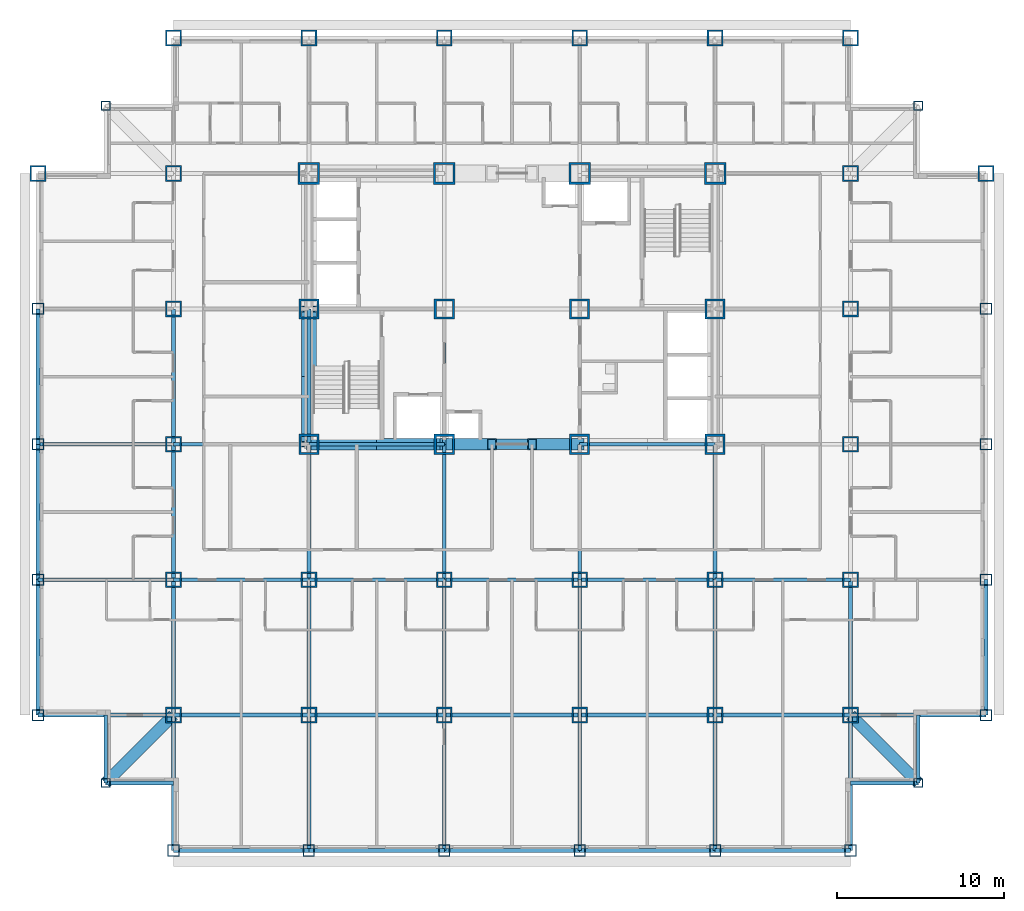
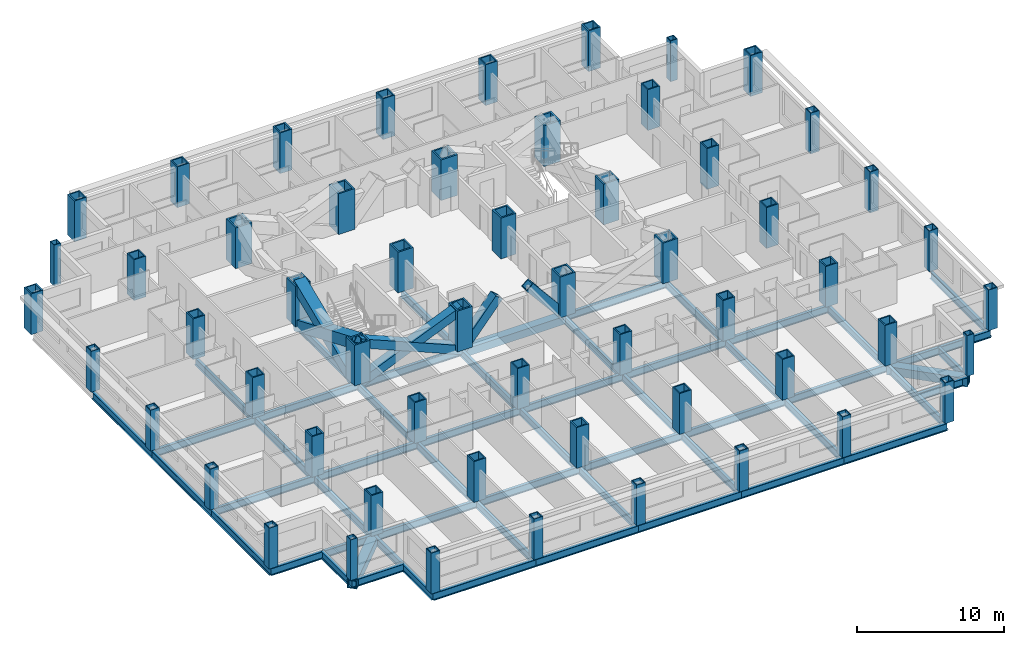
# One storey, part 1 of 13: 56 columns, 53 beams, 6 members.
"""IFC4 building model written with IfcOpenShell, lengths in metres."""

import ifcopenshell
import ifcopenshell.guid

model = None  # the IFC model being written
_history = None  # IfcOwnerHistory: only IFC2X3 demands one
_inside = {}  # id of a spatial element -> (the spatial element, [elements in it])
_under = {}  # id of a project, library or spatial element -> (it, [spatial elements below it])
_declared = {}  # id of a project -> (the project, [libraries it declares])
_typed = {}  # id of a type object -> (the type object, [elements of that type])
_made_of = {}  # id of a material, layer set ... -> (it, [elements and type objects made of it])


def new_model(schema):
    """Start an empty IFC model of exactly this schema.

    Asked for "IFC4X3", IfcOpenShell would pick the latest addendum, in which some entities
    have other attributes; the version numbers below select the first issue.
    IFC2X3 requires an IfcOwnerHistory on every rooted entity: one is made here for all.
    """
    global model, _history
    if schema == "IFC4X3":
        model = ifcopenshell.file(schema_version=(4, 3, 0, 0))
    else:
        model = ifcopenshell.file(schema=schema)
    _inside.clear()
    _under.clear()
    _declared.clear()
    _typed.clear()
    _made_of.clear()
    _history = None
    if model.schema == "IFC2X3":
        org = make("IfcOrganization", Name="unknown")
        user = make(
            "IfcPersonAndOrganization",
            ThePerson=make("IfcPerson", FamilyName="unknown"),
            TheOrganization=org,
        )
        app = make(
            "IfcApplication",
            ApplicationDeveloper=org,
            Version="unknown",
            ApplicationFullName="unknown",
            ApplicationIdentifier="unknown",
        )
        _history = make(
            "IfcOwnerHistory",
            OwningUser=user,
            OwningApplication=app,
            ChangeAction="ADDED",
            CreationDate=0,
        )
    return model


def make(cls, **values):
    """One entity of the class cls with the attributes given. An attribute that is None is left unset."""
    return model.create_entity(
        cls, **{name: value for name, value in values.items() if value is not None}
    )


def rooted(cls, **values):
    """An entity with a GlobalId (a new one), such as an element, a storey or a relation."""
    return make(cls, GlobalId=ifcopenshell.guid.new(), OwnerHistory=_history, **values)


def si_unit(unit_type, name, prefix=None):
    """IfcSIUnit, for example si_unit("LENGTHUNIT", "METRE", prefix="MILLI")."""
    return make("IfcSIUnit", UnitType=unit_type, Prefix=prefix, Name=name)


def assignment(units):
    """IfcUnitAssignment: the units of a project."""
    return None if units is None else make("IfcUnitAssignment", Units=units)


def point(xyz):
    """IfcCartesianPoint."""
    return None if xyz is None else make("IfcCartesianPoint", Coordinates=xyz)


def direction(xyz):
    """IfcDirection."""
    return None if xyz is None else make("IfcDirection", DirectionRatios=xyz)


def frame(location, z_axis=None, x_axis=None):
    """IfcAxis2Placement3D, a coordinate frame: its origin and axes. An axis left out is left unset."""
    return make(
        "IfcAxis2Placement3D",
        Location=point(location),
        Axis=direction(z_axis),
        RefDirection=direction(x_axis),
    )


def frame_2d(location, x_axis=None):
    """IfcAxis2Placement2D, a coordinate frame in the plane: its origin and x axis."""
    return make(
        "IfcAxis2Placement2D", Location=point(location), RefDirection=direction(x_axis)
    )


def origin():
    """The frame at (0, 0, 0) with its axes left unset."""
    return frame((0.0, 0.0, 0.0))


def origin_2d():
    """The frame at (0, 0) in the plane with its x axis left unset."""
    return frame_2d((0.0, 0.0))


def place(relative_to, where):
    """IfcLocalPlacement: puts the frame where relative to a parent placement (None: the world)."""
    return make(
        "IfcLocalPlacement", PlacementRelTo=relative_to, RelativePlacement=where
    )


def context(
    kind, dimensions, precision=None, world=None, true_north=None, identifier=None
):
    """IfcGeometricRepresentationContext, for example the 3D "Model" context."""
    return make(
        "IfcGeometricRepresentationContext",
        ContextIdentifier=identifier,
        ContextType=kind,
        CoordinateSpaceDimension=dimensions,
        Precision=precision,
        WorldCoordinateSystem=world,
        TrueNorth=true_north,
    )


def subcontext(parent, identifier, kind, view, scale=None):
    """IfcGeometricRepresentationSubContext, for example "Body" below "Model"."""
    return make(
        "IfcGeometricRepresentationSubContext",
        ContextIdentifier=identifier,
        ContextType=kind,
        ParentContext=parent,
        TargetScale=scale,
        TargetView=view,
    )


def project(units=None, contexts=None):
    """IfcProject with its units and contexts."""
    return rooted(
        "IfcProject",
        Name="project",
        RepresentationContexts=contexts,
        UnitsInContext=assignment(units),
    )


def spatial(cls, under=None, at=None, **own):
    """A site, building, storey or space (cls), placed at a placement, below another one or the project."""
    s = rooted(cls, ObjectPlacement=at, **own)
    if under is not None:
        _under.setdefault(under.id(), (under, []))[1].append(s)
    return s


def profile(cls, at=None, kind="AREA", **sizes):
    """A parametric profile (cls). Its sizes go by their IFC names, for example OverallWidth=200.0."""
    return make(cls, ProfileType=kind, Position=at, **sizes)


def hollow_rectangle(**sizes):
    """IfcRectangleHollowProfileDef."""
    return profile("IfcRectangleHollowProfileDef", **sizes)


def i_section(**sizes):
    """IfcIShapeProfileDef."""
    return profile("IfcIShapeProfileDef", **sizes)


def extrude(swept, where, along, depth):
    """IfcExtrudedAreaSolid: the profile swept, set in the frame where, extruded along a direction by depth."""
    return make(
        "IfcExtrudedAreaSolid",
        SweptArea=swept,
        Position=where,
        ExtrudedDirection=direction(along),
        Depth=depth,
    )


def shape(context_of_items, identifier, shape_type, items):
    """IfcShapeRepresentation: the items that make up one representation, for example the "Body"."""
    return make(
        "IfcShapeRepresentation",
        ContextOfItems=context_of_items,
        RepresentationIdentifier=identifier,
        RepresentationType=shape_type,
        Items=items,
    )


def material(Name=None, Category=None):
    """IfcMaterial."""
    return make("IfcMaterial", Name=Name, Category=Category)


def material_profile(
    of_material, cross_section, Name=None, Category=None, Priority=None
):
    """IfcMaterialProfile: a cross section and its material."""
    return make(
        "IfcMaterialProfile",
        Name=Name,
        Material=of_material,
        Profile=cross_section,
        Priority=Priority,
        Category=Category,
    )


def profile_set(profiles, Name=None, composite=None):
    """IfcMaterialProfileSet."""
    return make(
        "IfcMaterialProfileSet",
        Name=Name,
        MaterialProfiles=profiles,
        CompositeProfile=composite,
    )


def made_of(thing, what):
    """Note that an element or type object is made of a material, layer set ...; save() writes the relation."""
    if what is not None:
        _made_of.setdefault(what.id(), (what, []))[1].append(thing)
    return thing


def type_object(cls, material=None, **own):
    """A type object (cls), such as IfcWallType, which elements share."""
    return made_of(rooted(cls, **own), material)


def element(
    cls,
    number,
    at=None,
    inside=None,
    cuts=None,
    type_object=None,
    material=None,
    context=None,
    identifier="Body",
    shape_type=None,
    held_by="IfcProductDefinitionShape",
    body=None,
    shapes=None,
    **own,
):
    """One element of the class cls, such as IfcWall. Its Tag is "e" and its number.

    at: its placement. inside: the storey or other place that contains it. cuts: it is an
    opening in that element (IfcRelVoidsElement). A single representation is given by context,
    identifier, shape_type and body (its items); several are given by shapes. held_by: the class
    of the entity that holds the representations. save() writes the other relations.
    """
    e = rooted(cls, Tag="e%d" % number, ObjectPlacement=at, **own)
    if body is not None:
        shapes = [shape(context, identifier, shape_type, body)]
    if shapes is not None:
        e.Representation = make(held_by, Representations=shapes)
    if inside is not None:
        _inside.setdefault(inside.id(), (inside, []))[1].append(e)
    if cuts is not None:
        rooted(
            "IfcRelVoidsElement", RelatingBuildingElement=cuts, RelatedOpeningElement=e
        )
    if type_object is not None:
        _typed.setdefault(type_object.id(), (type_object, []))[1].append(e)
    return made_of(e, material)


def aggregate(whole, parts):
    """IfcRelAggregates: a whole, such as a stair, and the parts it consists of."""
    return rooted("IfcRelAggregates", RelatingObject=whole, RelatedObjects=parts)


def save(model, path):
    """Write the relations noted so far, then the file.

    IfcRelAggregates (storeys below a building ...), IfcRelContainedInSpatialStructure (elements
    in a storey), IfcRelDefinesByType, IfcRelAssociatesMaterial and IfcRelDeclares: one each for
    every whole, place, type object, material and project.
    """
    for whole, parts in _under.values():
        aggregate(whole, parts)
    for where, things in _inside.values():
        rooted(
            "IfcRelContainedInSpatialStructure",
            RelatedElements=things,
            RelatingStructure=where,
        )
    for kind, things in _typed.values():
        rooted("IfcRelDefinesByType", RelatedObjects=things, RelatingType=kind)
    for what, things in _made_of.values():
        rooted("IfcRelAssociatesMaterial", RelatedObjects=things, RelatingMaterial=what)
    for by, libraries in _declared.values():
        rooted("IfcRelDeclares", RelatingContext=by, RelatedDefinitions=libraries)
    model.write(path)


model = new_model("IFC4")

# Units and contexts
model_context = context("Model", 3, precision=1e-05, world=origin(), true_north=direction((0.0, 1.0)))
body_context = subcontext(model_context, "Body", "Model", "MODEL_VIEW")
ifc_project = project(units=[si_unit("LENGTHUNIT", "METRE"), si_unit("AREAUNIT", "SQUARE_METRE"), si_unit("VOLUMEUNIT", "CUBIC_METRE"), si_unit("PLANEANGLEUNIT", "RADIAN"), si_unit("MASSUNIT", "GRAM", prefix="KILO")], contexts=[model_context])

# Site, building, storey
site_placement = place(None, origin())
site = spatial("IfcSite", under=ifc_project, at=site_placement, CompositionType="ELEMENT")
building_placement = place(site_placement, origin())
building = spatial("IfcBuilding", under=site, at=building_placement, Name="Kopane Lantern Tower", CompositionType="ELEMENT")
storey_placement = place(building_placement, frame((0.0, 0.0, 50.0)))
storey = spatial("IfcBuildingStorey", under=building, at=storey_placement, Name="L11", CompositionType="ELEMENT", Elevation=50.0)

# Columns
ifc_material_1 = material(Name="Steel S355JR", Category="steel")
ifc_material_profile_1 = material_profile(ifc_material_1, hollow_rectangle(XDim=1.199951171875, YDim=1.199951171875, WallThickness=0.1201171875, at=origin_2d()), Name="BOX 1200x1200x120")
ifc_profile_set_1 = profile_set([ifc_material_profile_1], Name="Steel S355JR")
column_type_1 = type_object("IfcColumnType", Name="COLUMN BOX 1200x1200x120", PredefinedType="COLUMN", material=ifc_profile_set_1)
for number, where, z_axis, x_axis, name in (
    (1, (16.199951171875, 24.300048828125, 0.0), (0.0, 0.0, 1.0), (1.0, 0.0, 0.0), "Column 4/E L11"),
    (2, (16.199951171875, 32.39990234375, 0.0), (0.0, 0.0, 1.0), (1.0, 0.0, 0.0), "Column 4/F L11"),
    (3, (24.300048828125, 24.300048828125, 0.0), (0.0, 0.0, 1.0), (1.0, 0.0, 0.0), "Column 5/E L11"),
    (4, (24.300048828125, 32.39990234375, 0.0), (0.0, 0.0, 1.0), (1.0, 0.0, 0.0), "Column 5/F L11"),
    (5, (32.39990234375, 24.300048828125, 0.0), (0.0, 0.0, 1.0), (1.0, 0.0, 0.0), "Column 6/E L11"),
    (6, (32.39990234375, 32.39990234375, 0.0), (0.0, 0.0, 1.0), (1.0, 0.0, 0.0), "Column 6/F L11"),
    (7, (40.5, 24.300048828125, 0.0), (0.0, 0.0, 1.0), (1.0, 0.0, 0.0), "Column 7/E L11"),
    (8, (40.5, 32.39990234375, 0.0), (0.0, 0.0, 1.0), (1.0, 0.0, 0.0), "Column 7/F L11"),
):
    element("IfcColumn", number, at=place(storey_placement, frame(where, z_axis=z_axis, x_axis=x_axis)), inside=storey, type_object=column_type_1, Name=name, PredefinedType="COLUMN", context=body_context, shape_type="SweptSolid", body=[
        extrude(hollow_rectangle(XDim=1.199951171875, YDim=1.199951171875, WallThickness=0.1201171875, at=origin_2d()), origin(), (0.0, 0.0, 1.0), 3.39990234375),
    ])
ifc_material_2 = material(Name="Steel S355JR", Category="steel")
ifc_material_profile_2 = material_profile(ifc_material_2, hollow_rectangle(XDim=1.300048828125, YDim=1.300048828125, WallThickness=0.1298828125, at=origin_2d()), Name="BOX 1300x1300x130")
ifc_profile_set_2 = profile_set([ifc_material_profile_2], Name="Steel S355JR")
column_type_2 = type_object("IfcColumnType", Name="COLUMN BOX 1300x1300x130", PredefinedType="COLUMN", material=ifc_profile_set_2)
for number, where, z_axis, x_axis, name in (
    (9, (16.199951171875, 40.5, 0.0), (0.0, 0.0, 1.0), (1.0, 0.0, 0.0), "Column 4/G L11"),
    (10, (24.300048828125, 40.5, 0.0), (0.0, 0.0, 1.0), (1.0, 0.0, 0.0), "Column 5/G L11"),
    (11, (32.39990234375, 40.5, 0.0), (0.0, 0.0, 1.0), (1.0, 0.0, 0.0), "Column 6/G L11"),
    (12, (40.5, 40.5, 0.0), (0.0, 0.0, 1.0), (1.0, 0.0, 0.0), "Column 7/G L11"),
):
    element("IfcColumn", number, at=place(storey_placement, frame(where, z_axis=z_axis, x_axis=x_axis)), inside=storey, type_object=column_type_2, Name=name, PredefinedType="COLUMN", context=body_context, shape_type="SweptSolid", body=[
        extrude(hollow_rectangle(XDim=1.300048828125, YDim=1.300048828125, WallThickness=0.1298828125, at=origin_2d()), origin(), (0.0, 0.0, 1.0), 3.39990234375),
    ])
ifc_material_3 = material(Name="Steel S355JR", Category="steel")
ifc_material_profile_3 = material_profile(ifc_material_3, hollow_rectangle(XDim=0.550048828125, YDim=0.550048828125, WallThickness=0.050048828125, at=origin_2d()), Name="BOX 550x550x50")
ifc_profile_set_3 = profile_set([ifc_material_profile_3], Name="Steel S355JR")
column_type_3 = type_object("IfcColumnType", Name="COLUMN BOX 550x550x50", PredefinedType="COLUMN", material=ifc_profile_set_3)
for number, where, z_axis, x_axis, name in (
    (13, (4.050048828125, 4.050048828125, 0.0), (0.0, 0.0, 1.0), (1.0, 0.0, 0.0), "Column 4.05/4.05 L11"),
    (14, (4.050048828125, 44.550048828125, 0.0), (0.0, 0.0, 1.0), (1.0, 0.0, 0.0), "Column 4.05/44.55 L11"),
    (15, (52.64990234375, 4.050048828125, 0.0), (0.0, 0.0, 1.0), (1.0, 0.0, 0.0), "Column 52.65/4.05 L11"),
    (16, (52.64990234375, 44.550048828125, 0.0), (0.0, 0.0, 1.0), (1.0, 0.0, 0.0), "Column 52.65/44.55 L11"),
):
    element("IfcColumn", number, at=place(storey_placement, frame(where, z_axis=z_axis, x_axis=x_axis)), inside=storey, type_object=column_type_3, Name=name, PredefinedType="COLUMN", context=body_context, shape_type="SweptSolid", body=[
        extrude(hollow_rectangle(XDim=0.550048828125, YDim=0.550048828125, WallThickness=0.050048828125, at=origin_2d()), origin(), (0.0, 0.0, 1.0), 3.39990234375),
    ])
ifc_material_4 = material(Name="Steel S355JR", Category="steel")
ifc_material_profile_4 = material_profile(ifc_material_4, hollow_rectangle(XDim=0.699951171875, YDim=0.699951171875, WallThickness=0.06005859375, at=origin_2d()), Name="BOX 700x700x60")
ifc_profile_set_4 = profile_set([ifc_material_profile_4], Name="Steel S355JR")
column_type_4 = type_object("IfcColumnType", Name="COLUMN BOX 700x700x60", PredefinedType="COLUMN", material=ifc_profile_set_4)
for number, where, z_axis, x_axis, name in (
    (17, (0.0, 8.10009765625, 0.0), (0.0, 0.0, 1.0), (1.0, 0.0, 0.0), "Column 2/C L11"),
    (18, (0.0, 16.199951171875, 0.0), (0.0, 0.0, 1.0), (1.0, 0.0, 0.0), "Column 2/D L11"),
    (19, (0.0, 24.300048828125, 0.0), (0.0, 0.0, 1.0), (1.0, 0.0, 0.0), "Column 2/E L11"),
    (20, (0.0, 32.39990234375, 0.0), (0.0, 0.0, 1.0), (1.0, 0.0, 0.0), "Column 2/F L11"),
    (21, (8.10009765625, 0.0, 0.0), (0.0, 0.0, 1.0), (1.0, 0.0, 0.0), "Column 3/B L11"),
    (22, (16.199951171875, 0.0, 0.0), (0.0, 0.0, 1.0), (1.0, 0.0, 0.0), "Column 4/B L11"),
    (23, (24.300048828125, 0.0, 0.0), (0.0, 0.0, 1.0), (1.0, 0.0, 0.0), "Column 5/B L11"),
    (24, (32.39990234375, 0.0, 0.0), (0.0, 0.0, 1.0), (1.0, 0.0, 0.0), "Column 6/B L11"),
    (25, (40.5, 0.0, 0.0), (0.0, 0.0, 1.0), (1.0, 0.0, 0.0), "Column 7/B L11"),
    (26, (48.60009765625, 0.0, 0.0), (0.0, 0.0, 1.0), (1.0, 0.0, 0.0), "Column 8/B L11"),
    (27, (56.699951171875, 8.10009765625, 0.0), (0.0, 0.0, 1.0), (1.0, 0.0, 0.0), "Column 9/C L11"),
    (28, (56.699951171875, 16.199951171875, 0.0), (0.0, 0.0, 1.0), (1.0, 0.0, 0.0), "Column 9/D L11"),
    (29, (56.699951171875, 24.300048828125, 0.0), (0.0, 0.0, 1.0), (1.0, 0.0, 0.0), "Column 9/E L11"),
    (30, (56.699951171875, 32.39990234375, 0.0), (0.0, 0.0, 1.0), (1.0, 0.0, 0.0), "Column 9/F L11"),
):
    element("IfcColumn", number, at=place(storey_placement, frame(where, z_axis=z_axis, x_axis=x_axis)), inside=storey, type_object=column_type_4, Name=name, PredefinedType="COLUMN", context=body_context, shape_type="SweptSolid", body=[
        extrude(hollow_rectangle(XDim=0.699951171875, YDim=0.699951171875, WallThickness=0.06005859375, at=origin_2d()), origin(), (0.0, 0.0, 1.0), 3.39990234375),
    ])
ifc_material_5 = material(Name="Steel S355JR", Category="steel")
ifc_material_profile_5 = material_profile(ifc_material_5, hollow_rectangle(XDim=0.949951171875, YDim=0.949951171875, WallThickness=0.094970703125, at=origin_2d()), Name="BOX 950x950x95")
ifc_profile_set_5 = profile_set([ifc_material_profile_5], Name="Steel S355JR")
column_type_5 = type_object("IfcColumnType", Name="COLUMN BOX 950x950x95", PredefinedType="COLUMN", material=ifc_profile_set_5)
for number, where, z_axis, x_axis, name in (
    (31, (0.0, 40.5, 0.0), (0.0, 0.0, 1.0), (1.0, 0.0, 0.0), "Column 2/G L11"),
    (32, (8.10009765625, 8.10009765625, 0.0), (0.0, 0.0, 1.0), (1.0, 0.0, 0.0), "Column 3/C L11"),
    (33, (8.10009765625, 16.199951171875, 0.0), (0.0, 0.0, 1.0), (1.0, 0.0, 0.0), "Column 3/D L11"),
    (34, (8.10009765625, 24.300048828125, 0.0), (0.0, 0.0, 1.0), (1.0, 0.0, 0.0), "Column 3/E L11"),
    (35, (8.10009765625, 32.39990234375, 0.0), (0.0, 0.0, 1.0), (1.0, 0.0, 0.0), "Column 3/F L11"),
    (36, (8.10009765625, 40.5, 0.0), (0.0, 0.0, 1.0), (1.0, 0.0, 0.0), "Column 3/G L11"),
    (37, (8.10009765625, 48.60009765625, 0.0), (0.0, 0.0, 1.0), (1.0, 0.0, 0.0), "Column 3/H L11"),
    (38, (16.199951171875, 8.10009765625, 0.0), (0.0, 0.0, 1.0), (1.0, 0.0, 0.0), "Column 4/C L11"),
    (39, (16.199951171875, 16.199951171875, 0.0), (0.0, 0.0, 1.0), (1.0, 0.0, 0.0), "Column 4/D L11"),
    (40, (16.199951171875, 48.60009765625, 0.0), (0.0, 0.0, 1.0), (1.0, 0.0, 0.0), "Column 4/H L11"),
    (41, (24.300048828125, 8.10009765625, 0.0), (0.0, 0.0, 1.0), (1.0, 0.0, 0.0), "Column 5/C L11"),
    (42, (24.300048828125, 16.199951171875, 0.0), (0.0, 0.0, 1.0), (1.0, 0.0, 0.0), "Column 5/D L11"),
    (43, (24.300048828125, 48.60009765625, 0.0), (0.0, 0.0, 1.0), (1.0, 0.0, 0.0), "Column 5/H L11"),
    (44, (32.39990234375, 8.10009765625, 0.0), (0.0, 0.0, 1.0), (1.0, 0.0, 0.0), "Column 6/C L11"),
    (45, (32.39990234375, 16.199951171875, 0.0), (0.0, 0.0, 1.0), (1.0, 0.0, 0.0), "Column 6/D L11"),
    (46, (32.39990234375, 48.60009765625, 0.0), (0.0, 0.0, 1.0), (1.0, 0.0, 0.0), "Column 6/H L11"),
    (47, (40.5, 8.10009765625, 0.0), (0.0, 0.0, 1.0), (1.0, 0.0, 0.0), "Column 7/C L11"),
    (48, (40.5, 16.199951171875, 0.0), (0.0, 0.0, 1.0), (1.0, 0.0, 0.0), "Column 7/D L11"),
    (49, (40.5, 48.60009765625, 0.0), (0.0, 0.0, 1.0), (1.0, 0.0, 0.0), "Column 7/H L11"),
    (50, (48.60009765625, 8.10009765625, 0.0), (0.0, 0.0, 1.0), (1.0, 0.0, 0.0), "Column 8/C L11"),
    (51, (48.60009765625, 16.199951171875, 0.0), (0.0, 0.0, 1.0), (1.0, 0.0, 0.0), "Column 8/D L11"),
    (52, (48.60009765625, 24.300048828125, 0.0), (0.0, 0.0, 1.0), (1.0, 0.0, 0.0), "Column 8/E L11"),
    (53, (48.60009765625, 32.39990234375, 0.0), (0.0, 0.0, 1.0), (1.0, 0.0, 0.0), "Column 8/F L11"),
    (54, (48.60009765625, 40.5, 0.0), (0.0, 0.0, 1.0), (1.0, 0.0, 0.0), "Column 8/G L11"),
    (55, (48.60009765625, 48.60009765625, 0.0), (0.0, 0.0, 1.0), (1.0, 0.0, 0.0), "Column 8/H L11"),
    (56, (56.699951171875, 40.5, 0.0), (0.0, 0.0, 1.0), (1.0, 0.0, 0.0), "Column 9/G L11"),
):
    element("IfcColumn", number, at=place(storey_placement, frame(where, z_axis=z_axis, x_axis=x_axis)), inside=storey, type_object=column_type_5, Name=name, PredefinedType="COLUMN", context=body_context, shape_type="SweptSolid", body=[
        extrude(hollow_rectangle(XDim=0.949951171875, YDim=0.949951171875, WallThickness=0.094970703125, at=origin_2d()), origin(), (0.0, 0.0, 1.0), 3.39990234375),
    ])

# Members
ifc_material_6 = material(Name="Steel S355JR", Category="steel")
ifc_material_profile_6 = material_profile(ifc_material_6, hollow_rectangle(XDim=0.699951171875, YDim=0.699951171875, WallThickness=0.06005859375, at=origin_2d()), Name="BOX 700x700x60")
ifc_profile_set_6 = profile_set([ifc_material_profile_6], Name="Steel S355JR")
member_type_1 = type_object("IfcMemberType", Name="BRACE BOX 700x700x60", PredefinedType="BRACE", material=ifc_profile_set_6)
for number, where, z_axis, x_axis, name in (
    (57, (16.199951171875, 24.300048828125, -0.2099609375), (0.922069000757, 0.0, 0.387025526088), (0.0, 1.0, 0.0), "Core brace L11"),
    (58, (24.300048828125, 24.300048828125, -0.2099609375), (-0.922069000757, 0.0, 0.387025526088), (0.0, -1.0, 0.0), "Core brace L11"),
):
    element("IfcMember", number, at=place(storey_placement, frame(where, z_axis=z_axis, x_axis=x_axis)), inside=storey, type_object=member_type_1, Name=name, PredefinedType="BRACE", context=body_context, shape_type="SweptSolid", body=[
        extrude(hollow_rectangle(XDim=0.699951171875, YDim=0.699951171875, WallThickness=0.06005859375, at=origin_2d()), origin(), (0.0, 0.0, 1.0), 8.78466796875),
    ])
for number, where, z_axis, x_axis, name in (
    (59, (24.300048828125, 24.300048828125, -0.2099609375), (0.642390257445, 0.0, 0.7663776857), (0.0, 1.0, 0.0), "Core brace L11"),
    (60, (32.39990234375, 24.300048828125, -0.2099609375), (-0.642390257445, 0.0, 0.7663776857), (0.0, -1.0, 0.0), "Core brace L11"),
):
    element("IfcMember", number, at=place(storey_placement, frame(where, z_axis=z_axis, x_axis=x_axis)), inside=storey, type_object=member_type_1, Name=name, PredefinedType="BRACE", context=body_context, shape_type="SweptSolid", body=[
        extrude(hollow_rectangle(XDim=0.699951171875, YDim=0.699951171875, WallThickness=0.06005859375, at=origin_2d()), origin(), (0.0, 0.0, 1.0), 4.436279296875),
    ])
ifc_material_7 = material(Name="Steel S355JR", Category="steel")
ifc_material_profile_7 = material_profile(ifc_material_7, hollow_rectangle(XDim=0.89990234375, YDim=0.89990234375, WallThickness=0.090087890625, at=origin_2d()), Name="BOX 900x900x90")
ifc_profile_set_7 = profile_set([ifc_material_profile_7], Name="Steel S355JR")
member_type_2 = type_object("IfcMemberType", Name="BRACE BOX 900x900x90", PredefinedType="BRACE", material=ifc_profile_set_7)
for number, where, z_axis, x_axis, name in (
    (61, (16.199951171875, 24.300048828125, -0.2099609375), (0.0, 0.922064837731, 0.38703544414), (-1.0, 0.0, 0.0), "Core brace L11"),
    (62, (16.199951171875, 32.39990234375, -0.2099609375), (0.0, -0.922064837731, 0.38703544414), (1.0, 0.0, 0.0), "Core brace L11"),
):
    element("IfcMember", number, at=place(storey_placement, frame(where, z_axis=z_axis, x_axis=x_axis)), inside=storey, type_object=member_type_2, Name=name, PredefinedType="BRACE", context=body_context, shape_type="SweptSolid", body=[
        extrude(hollow_rectangle(XDim=0.89990234375, YDim=0.89990234375, WallThickness=0.090087890625, at=origin_2d()), origin(), (0.0, 0.0, 1.0), 8.784423828125),
    ])

# Beams
ifc_material_8 = material(Name="Steel S355JR", Category="steel")
ifc_material_profile_8 = material_profile(ifc_material_8, i_section(OverallWidth=0.22900390625, OverallDepth=0.6123046875, WebThickness=0.011962890625, FlangeThickness=0.01953125, FilletRadius=0.0126953125, at=origin_2d()), Name="UB 610x229x125")
ifc_profile_set_8 = profile_set([ifc_material_profile_8], Name="Steel S355JR")
beam_type_1 = type_object("IfcBeamType", Name="CORE BEAM UB 610x229x125", PredefinedType="BEAM", material=ifc_profile_set_8)
beam_1_placement = place(storey_placement, frame((24.300048828125, 24.300048828125, -0.51611328125), z_axis=(0.0, 1.0, 0.0), x_axis=(-1.0, 0.0, 0.0)))
element("IfcBeam", 63, at=beam_1_placement, inside=storey, type_object=beam_type_1, Name="Core Beam L11", PredefinedType="BEAM", context=body_context, shape_type="SweptSolid", body=[
    extrude(i_section(OverallWidth=0.22900390625, OverallDepth=0.6123046875, WebThickness=0.011962890625, FlangeThickness=0.01953125, FilletRadius=0.0126953125, at=origin_2d()), origin(), (0.0, 0.0, 1.0), 8.099853515625),
])
ifc_material_9 = material(Name="Steel S355JR", Category="steel")
ifc_material_profile_9 = material_profile(ifc_material_9, hollow_rectangle(XDim=0.699951171875, YDim=0.699951171875, WallThickness=0.06005859375, at=origin_2d()), Name="BOX 700x700x60")
ifc_profile_set_9 = profile_set([ifc_material_profile_9], Name="Steel S355JR")
beam_type_2 = type_object("IfcBeamType", Name="CORNER TIE BEAM BOX 700x700x60", PredefinedType="BEAM", material=ifc_profile_set_9)
for number, where, z_axis, x_axis, name in (
    (64, (4.050048828125, 4.050048828125, -0.56005859375), (0.707106781187, 0.707106781187, 0.0), (-0.707106781187, 0.707106781187, 0.0), "Corner Tie Beam L11"),
    (65, (52.64990234375, 4.050048828125, -0.56005859375), (-0.707085467703, 0.707128094028, 0.0), (-0.707128094028, -0.707085467703, 0.0), "Corner Tie Beam L11"),
):
    element("IfcBeam", number, at=place(storey_placement, frame(where, z_axis=z_axis, x_axis=x_axis)), inside=storey, type_object=beam_type_2, Name=name, PredefinedType="BEAM", context=body_context, shape_type="SweptSolid", body=[
        extrude(hollow_rectangle(XDim=0.699951171875, YDim=0.699951171875, WallThickness=0.06005859375, at=origin_2d()), origin(), (0.0, 0.0, 1.0), 5.7275390625),
    ])
ifc_material_10 = material(Name="Steel S355JR", Category="steel")
ifc_material_profile_10 = material_profile(ifc_material_10, i_section(OverallWidth=0.22900390625, OverallDepth=0.6123046875, WebThickness=0.011962890625, FlangeThickness=0.01953125, FilletRadius=0.0126953125, at=origin_2d()), Name="UB 610x229x125")
ifc_profile_set_10 = profile_set([ifc_material_profile_10], Name="Steel S355JR")
beam_type_3 = type_object("IfcBeamType", Name="EDGE BEAM UB 610x229x125", PredefinedType="BEAM", material=ifc_profile_set_10)
for number, where, z_axis, x_axis, name in (
    (66, (4.050048828125, 4.050048828125, -0.51611328125), (0.0, 1.0, 0.0), (-1.0, 0.0, 0.0), "Edge Beam L11"),
    (67, (4.050048828125, 4.050048828125, -0.51611328125), (1.0, 0.0, 0.0), (0.0, 1.0, 0.0), "Edge Beam L11"),
):
    element("IfcBeam", number, at=place(storey_placement, frame(where, z_axis=z_axis, x_axis=x_axis)), inside=storey, type_object=beam_type_3, Name=name, PredefinedType="BEAM", context=body_context, shape_type="SweptSolid", body=[
        extrude(i_section(OverallWidth=0.22900390625, OverallDepth=0.6123046875, WebThickness=0.011962890625, FlangeThickness=0.01953125, FilletRadius=0.0126953125, at=origin_2d()), origin(), (0.0, 0.0, 1.0), 4.050048828125),
    ])
beam_2_placement = place(storey_placement, frame((52.64990234375, 4.050048828125, -0.51611328125), z_axis=(-1.0, 0.0, 0.0), x_axis=(0.0, -1.0, 0.0)))
element("IfcBeam", 68, at=beam_2_placement, inside=storey, type_object=beam_type_3, Name="Edge Beam L11", PredefinedType="BEAM", context=body_context, shape_type="SweptSolid", body=[
    extrude(i_section(OverallWidth=0.22900390625, OverallDepth=0.6123046875, WebThickness=0.011962890625, FlangeThickness=0.01953125, FilletRadius=0.0126953125, at=origin_2d()), origin(), (0.0, 0.0, 1.0), 4.0498046875),
])
beam_3_placement = place(storey_placement, frame((52.64990234375, 4.050048828125, -0.51611328125), z_axis=(0.0, 1.0, 0.0), x_axis=(-1.0, 0.0, 0.0)))
element("IfcBeam", 69, at=beam_3_placement, inside=storey, type_object=beam_type_3, Name="Edge Beam L11", PredefinedType="BEAM", context=body_context, shape_type="SweptSolid", body=[
    extrude(i_section(OverallWidth=0.22900390625, OverallDepth=0.6123046875, WebThickness=0.011962890625, FlangeThickness=0.01953125, FilletRadius=0.0126953125, at=origin_2d()), origin(), (0.0, 0.0, 1.0), 4.050048828125),
])
ifc_material_11 = material(Name="Steel S355JR", Category="steel")
ifc_material_profile_11 = material_profile(ifc_material_11, i_section(OverallWidth=0.22900390625, OverallDepth=0.6123046875, WebThickness=0.011962890625, FlangeThickness=0.01953125, FilletRadius=0.0126953125, at=origin_2d()), Name="UB 610x229x125")
ifc_profile_set_11 = profile_set([ifc_material_profile_11], Name="Steel S355JR")
beam_type_4 = type_object("IfcBeamType", Name="GIRDER UB 610x229x125", PredefinedType="BEAM", material=ifc_profile_set_11)
beam_4_placement = place(storey_placement, frame((0.0, 8.10009765625, -0.51611328125), z_axis=(0.0, 1.0, 0.0), x_axis=(-1.0, 0.0, 0.0)))
element("IfcBeam", 70, at=beam_4_placement, inside=storey, type_object=beam_type_4, Name="Girder L11", PredefinedType="BEAM", context=body_context, shape_type="SweptSolid", body=[
    extrude(i_section(OverallWidth=0.22900390625, OverallDepth=0.6123046875, WebThickness=0.011962890625, FlangeThickness=0.01953125, FilletRadius=0.0126953125, at=origin_2d()), origin(), (0.0, 0.0, 1.0), 8.099853515625),
])
for number, where, z_axis, x_axis, name in (
    (71, (0.0, 8.10009765625, -0.51611328125), (1.0, 0.0, 0.0), (0.0, 1.0, 0.0), "Girder L11"),
    (72, (0.0, 16.199951171875, -0.51611328125), (0.0, 1.0, 0.0), (-1.0, 0.0, 0.0), "Girder L11"),
    (73, (0.0, 16.199951171875, -0.51611328125), (1.0, 0.0, 0.0), (0.0, 1.0, 0.0), "Girder L11"),
):
    element("IfcBeam", number, at=place(storey_placement, frame(where, z_axis=z_axis, x_axis=x_axis)), inside=storey, type_object=beam_type_4, Name=name, PredefinedType="BEAM", context=body_context, shape_type="SweptSolid", body=[
        extrude(i_section(OverallWidth=0.22900390625, OverallDepth=0.6123046875, WebThickness=0.011962890625, FlangeThickness=0.01953125, FilletRadius=0.0126953125, at=origin_2d()), origin(), (0.0, 0.0, 1.0), 8.10009765625),
    ])
beam_5_placement = place(storey_placement, frame((0.0, 24.300048828125, -0.51611328125), z_axis=(0.0, 1.0, 0.0), x_axis=(-1.0, 0.0, 0.0)))
element("IfcBeam", 74, at=beam_5_placement, inside=storey, type_object=beam_type_4, Name="Girder L11", PredefinedType="BEAM", context=body_context, shape_type="SweptSolid", body=[
    extrude(i_section(OverallWidth=0.22900390625, OverallDepth=0.6123046875, WebThickness=0.011962890625, FlangeThickness=0.01953125, FilletRadius=0.0126953125, at=origin_2d()), origin(), (0.0, 0.0, 1.0), 8.099853515625),
])
for number, where, z_axis, x_axis, name in (
    (75, (0.0, 24.300048828125, -0.51611328125), (1.0, 0.0, 0.0), (0.0, 1.0, 0.0), "Girder L11"),
    (76, (8.10009765625, 0.0, -0.51611328125), (0.0, 1.0, 0.0), (-1.0, 0.0, 0.0), "Girder L11"),
):
    element("IfcBeam", number, at=place(storey_placement, frame(where, z_axis=z_axis, x_axis=x_axis)), inside=storey, type_object=beam_type_4, Name=name, PredefinedType="BEAM", context=body_context, shape_type="SweptSolid", body=[
        extrude(i_section(OverallWidth=0.22900390625, OverallDepth=0.6123046875, WebThickness=0.011962890625, FlangeThickness=0.01953125, FilletRadius=0.0126953125, at=origin_2d()), origin(), (0.0, 0.0, 1.0), 8.10009765625),
    ])
for number, where, z_axis, x_axis, name in (
    (77, (8.10009765625, 0.0, -0.51611328125), (1.0, 0.0, 0.0), (0.0, 1.0, 0.0), "Girder L11"),
    (78, (8.10009765625, 8.10009765625, -0.51611328125), (0.0, 1.0, 0.0), (-1.0, 0.0, 0.0), "Girder L11"),
    (79, (8.10009765625, 8.10009765625, -0.51611328125), (1.0, 0.0, 0.0), (0.0, 1.0, 0.0), "Girder L11"),
):
    element("IfcBeam", number, at=place(storey_placement, frame(where, z_axis=z_axis, x_axis=x_axis)), inside=storey, type_object=beam_type_4, Name=name, PredefinedType="BEAM", context=body_context, shape_type="SweptSolid", body=[
        extrude(i_section(OverallWidth=0.22900390625, OverallDepth=0.6123046875, WebThickness=0.011962890625, FlangeThickness=0.01953125, FilletRadius=0.0126953125, at=origin_2d()), origin(), (0.0, 0.0, 1.0), 8.099853515625),
    ])
beam_6_placement = place(storey_placement, frame((8.10009765625, 16.199951171875, -0.51611328125), z_axis=(0.0, 1.0, 0.0), x_axis=(-1.0, 0.0, 0.0)))
element("IfcBeam", 80, at=beam_6_placement, inside=storey, type_object=beam_type_4, Name="Girder L11", PredefinedType="BEAM", context=body_context, shape_type="SweptSolid", body=[
    extrude(i_section(OverallWidth=0.22900390625, OverallDepth=0.6123046875, WebThickness=0.011962890625, FlangeThickness=0.01953125, FilletRadius=0.0126953125, at=origin_2d()), origin(), (0.0, 0.0, 1.0), 8.10009765625),
])
for number, where, z_axis, x_axis, name in (
    (81, (8.10009765625, 16.199951171875, -0.51611328125), (1.0, 0.0, 0.0), (0.0, 1.0, 0.0), "Girder L11"),
    (82, (8.10009765625, 24.300048828125, -0.51611328125), (0.0, 1.0, 0.0), (-1.0, 0.0, 0.0), "Girder L11"),
    (83, (8.10009765625, 24.300048828125, -0.51611328125), (1.0, 0.0, 0.0), (0.0, 1.0, 0.0), "Girder L11"),
):
    element("IfcBeam", number, at=place(storey_placement, frame(where, z_axis=z_axis, x_axis=x_axis)), inside=storey, type_object=beam_type_4, Name=name, PredefinedType="BEAM", context=body_context, shape_type="SweptSolid", body=[
        extrude(i_section(OverallWidth=0.22900390625, OverallDepth=0.6123046875, WebThickness=0.011962890625, FlangeThickness=0.01953125, FilletRadius=0.0126953125, at=origin_2d()), origin(), (0.0, 0.0, 1.0), 8.099853515625),
    ])
for number, where, z_axis, x_axis, name in (
    (84, (16.199951171875, 0.0, -0.51611328125), (0.0, 1.0, 0.0), (-1.0, 0.0, 0.0), "Girder L11"),
    (85, (16.199951171875, 0.0, -0.51611328125), (1.0, 0.0, 0.0), (0.0, 1.0, 0.0), "Girder L11"),
):
    element("IfcBeam", number, at=place(storey_placement, frame(where, z_axis=z_axis, x_axis=x_axis)), inside=storey, type_object=beam_type_4, Name=name, PredefinedType="BEAM", context=body_context, shape_type="SweptSolid", body=[
        extrude(i_section(OverallWidth=0.22900390625, OverallDepth=0.6123046875, WebThickness=0.011962890625, FlangeThickness=0.01953125, FilletRadius=0.0126953125, at=origin_2d()), origin(), (0.0, 0.0, 1.0), 8.10009765625),
    ])
beam_7_placement = place(storey_placement, frame((16.199951171875, 8.10009765625, -0.51611328125), z_axis=(0.0, 1.0, 0.0), x_axis=(-1.0, 0.0, 0.0)))
element("IfcBeam", 86, at=beam_7_placement, inside=storey, type_object=beam_type_4, Name="Girder L11", PredefinedType="BEAM", context=body_context, shape_type="SweptSolid", body=[
    extrude(i_section(OverallWidth=0.22900390625, OverallDepth=0.6123046875, WebThickness=0.011962890625, FlangeThickness=0.01953125, FilletRadius=0.0126953125, at=origin_2d()), origin(), (0.0, 0.0, 1.0), 8.099853515625),
])
for number, where, z_axis, x_axis, name in (
    (87, (16.199951171875, 8.10009765625, -0.51611328125), (1.0, 0.0, 0.0), (0.0, 1.0, 0.0), "Girder L11"),
    (88, (16.199951171875, 16.199951171875, -0.51611328125), (0.0, 1.0, 0.0), (-1.0, 0.0, 0.0), "Girder L11"),
    (89, (16.199951171875, 16.199951171875, -0.51611328125), (1.0, 0.0, 0.0), (0.0, 1.0, 0.0), "Girder L11"),
):
    element("IfcBeam", number, at=place(storey_placement, frame(where, z_axis=z_axis, x_axis=x_axis)), inside=storey, type_object=beam_type_4, Name=name, PredefinedType="BEAM", context=body_context, shape_type="SweptSolid", body=[
        extrude(i_section(OverallWidth=0.22900390625, OverallDepth=0.6123046875, WebThickness=0.011962890625, FlangeThickness=0.01953125, FilletRadius=0.0126953125, at=origin_2d()), origin(), (0.0, 0.0, 1.0), 8.10009765625),
    ])
beam_8_placement = place(storey_placement, frame((16.199951171875, 24.300048828125, -0.51611328125), z_axis=(0.0, 1.0, 0.0), x_axis=(-1.0, 0.0, 0.0)))
element("IfcBeam", 90, at=beam_8_placement, inside=storey, type_object=beam_type_4, Name="Girder L11", PredefinedType="BEAM", context=body_context, shape_type="SweptSolid", body=[
    extrude(i_section(OverallWidth=0.22900390625, OverallDepth=0.6123046875, WebThickness=0.011962890625, FlangeThickness=0.01953125, FilletRadius=0.0126953125, at=origin_2d()), origin(), (0.0, 0.0, 1.0), 8.099853515625),
])
for number, where, z_axis, x_axis, name in (
    (91, (16.199951171875, 24.300048828125, -0.51611328125), (1.0, 0.0, 0.0), (0.0, 1.0, 0.0), "Girder L11"),
    (92, (24.300048828125, 0.0, -0.51611328125), (0.0, 1.0, 0.0), (-1.0, 0.0, 0.0), "Girder L11"),
):
    element("IfcBeam", number, at=place(storey_placement, frame(where, z_axis=z_axis, x_axis=x_axis)), inside=storey, type_object=beam_type_4, Name=name, PredefinedType="BEAM", context=body_context, shape_type="SweptSolid", body=[
        extrude(i_section(OverallWidth=0.22900390625, OverallDepth=0.6123046875, WebThickness=0.011962890625, FlangeThickness=0.01953125, FilletRadius=0.0126953125, at=origin_2d()), origin(), (0.0, 0.0, 1.0), 8.10009765625),
    ])
for number, where, z_axis, x_axis, name in (
    (93, (24.300048828125, 0.0, -0.51611328125), (1.0, 0.0, 0.0), (0.0, 1.0, 0.0), "Girder L11"),
    (94, (24.300048828125, 8.10009765625, -0.51611328125), (0.0, 1.0, 0.0), (-1.0, 0.0, 0.0), "Girder L11"),
    (95, (24.300048828125, 8.10009765625, -0.51611328125), (1.0, 0.0, 0.0), (0.0, 1.0, 0.0), "Girder L11"),
):
    element("IfcBeam", number, at=place(storey_placement, frame(where, z_axis=z_axis, x_axis=x_axis)), inside=storey, type_object=beam_type_4, Name=name, PredefinedType="BEAM", context=body_context, shape_type="SweptSolid", body=[
        extrude(i_section(OverallWidth=0.22900390625, OverallDepth=0.6123046875, WebThickness=0.011962890625, FlangeThickness=0.01953125, FilletRadius=0.0126953125, at=origin_2d()), origin(), (0.0, 0.0, 1.0), 8.099853515625),
    ])
beam_9_placement = place(storey_placement, frame((24.300048828125, 16.199951171875, -0.51611328125), z_axis=(0.0, 1.0, 0.0), x_axis=(-1.0, 0.0, 0.0)))
element("IfcBeam", 96, at=beam_9_placement, inside=storey, type_object=beam_type_4, Name="Girder L11", PredefinedType="BEAM", context=body_context, shape_type="SweptSolid", body=[
    extrude(i_section(OverallWidth=0.22900390625, OverallDepth=0.6123046875, WebThickness=0.011962890625, FlangeThickness=0.01953125, FilletRadius=0.0126953125, at=origin_2d()), origin(), (0.0, 0.0, 1.0), 8.10009765625),
])
beam_10_placement = place(storey_placement, frame((24.300048828125, 16.199951171875, -0.51611328125), z_axis=(1.0, 0.0, 0.0), x_axis=(0.0, 1.0, 0.0)))
element("IfcBeam", 97, at=beam_10_placement, inside=storey, type_object=beam_type_4, Name="Girder L11", PredefinedType="BEAM", context=body_context, shape_type="SweptSolid", body=[
    extrude(i_section(OverallWidth=0.22900390625, OverallDepth=0.6123046875, WebThickness=0.011962890625, FlangeThickness=0.01953125, FilletRadius=0.0126953125, at=origin_2d()), origin(), (0.0, 0.0, 1.0), 8.099853515625),
])
for number, where, z_axis, x_axis, name in (
    (98, (32.39990234375, 0.0, -0.51611328125), (0.0, 1.0, 0.0), (-1.0, 0.0, 0.0), "Girder L11"),
    (99, (32.39990234375, 0.0, -0.51611328125), (1.0, 0.0, 0.0), (0.0, 1.0, 0.0), "Girder L11"),
):
    element("IfcBeam", number, at=place(storey_placement, frame(where, z_axis=z_axis, x_axis=x_axis)), inside=storey, type_object=beam_type_4, Name=name, PredefinedType="BEAM", context=body_context, shape_type="SweptSolid", body=[
        extrude(i_section(OverallWidth=0.22900390625, OverallDepth=0.6123046875, WebThickness=0.011962890625, FlangeThickness=0.01953125, FilletRadius=0.0126953125, at=origin_2d()), origin(), (0.0, 0.0, 1.0), 8.10009765625),
    ])
beam_11_placement = place(storey_placement, frame((32.39990234375, 8.10009765625, -0.51611328125), z_axis=(0.0, 1.0, 0.0), x_axis=(-1.0, 0.0, 0.0)))
element("IfcBeam", 100, at=beam_11_placement, inside=storey, type_object=beam_type_4, Name="Girder L11", PredefinedType="BEAM", context=body_context, shape_type="SweptSolid", body=[
    extrude(i_section(OverallWidth=0.22900390625, OverallDepth=0.6123046875, WebThickness=0.011962890625, FlangeThickness=0.01953125, FilletRadius=0.0126953125, at=origin_2d()), origin(), (0.0, 0.0, 1.0), 8.099853515625),
])
for number, where, z_axis, x_axis, name in (
    (101, (32.39990234375, 8.10009765625, -0.51611328125), (1.0, 0.0, 0.0), (0.0, 1.0, 0.0), "Girder L11"),
    (102, (32.39990234375, 16.199951171875, -0.51611328125), (0.0, 1.0, 0.0), (-1.0, 0.0, 0.0), "Girder L11"),
    (103, (32.39990234375, 16.199951171875, -0.51611328125), (1.0, 0.0, 0.0), (0.0, 1.0, 0.0), "Girder L11"),
    (104, (32.39990234375, 24.300048828125, -0.51611328125), (1.0, 0.0, 0.0), (0.0, 1.0, 0.0), "Girder L11"),
    (105, (40.5, 0.0, -0.51611328125), (0.0, 1.0, 0.0), (-1.0, 0.0, 0.0), "Girder L11"),
    (106, (40.5, 0.0, -0.51611328125), (1.0, 0.0, 0.0), (0.0, 1.0, 0.0), "Girder L11"),
):
    element("IfcBeam", number, at=place(storey_placement, frame(where, z_axis=z_axis, x_axis=x_axis)), inside=storey, type_object=beam_type_4, Name=name, PredefinedType="BEAM", context=body_context, shape_type="SweptSolid", body=[
        extrude(i_section(OverallWidth=0.22900390625, OverallDepth=0.6123046875, WebThickness=0.011962890625, FlangeThickness=0.01953125, FilletRadius=0.0126953125, at=origin_2d()), origin(), (0.0, 0.0, 1.0), 8.10009765625),
    ])
beam_12_placement = place(storey_placement, frame((40.5, 8.10009765625, -0.51611328125), z_axis=(0.0, 1.0, 0.0), x_axis=(-1.0, 0.0, 0.0)))
element("IfcBeam", 107, at=beam_12_placement, inside=storey, type_object=beam_type_4, Name="Girder L11", PredefinedType="BEAM", context=body_context, shape_type="SweptSolid", body=[
    extrude(i_section(OverallWidth=0.22900390625, OverallDepth=0.6123046875, WebThickness=0.011962890625, FlangeThickness=0.01953125, FilletRadius=0.0126953125, at=origin_2d()), origin(), (0.0, 0.0, 1.0), 8.099853515625),
])
for number, where, z_axis, x_axis, name in (
    (108, (40.5, 8.10009765625, -0.51611328125), (1.0, 0.0, 0.0), (0.0, 1.0, 0.0), "Girder L11"),
    (109, (40.5, 16.199951171875, -0.51611328125), (0.0, 1.0, 0.0), (-1.0, 0.0, 0.0), "Girder L11"),
    (110, (40.5, 16.199951171875, -0.51611328125), (1.0, 0.0, 0.0), (0.0, 1.0, 0.0), "Girder L11"),
    (111, (48.60009765625, 0.0, -0.51611328125), (0.0, 1.0, 0.0), (-1.0, 0.0, 0.0), "Girder L11"),
):
    element("IfcBeam", number, at=place(storey_placement, frame(where, z_axis=z_axis, x_axis=x_axis)), inside=storey, type_object=beam_type_4, Name=name, PredefinedType="BEAM", context=body_context, shape_type="SweptSolid", body=[
        extrude(i_section(OverallWidth=0.22900390625, OverallDepth=0.6123046875, WebThickness=0.011962890625, FlangeThickness=0.01953125, FilletRadius=0.0126953125, at=origin_2d()), origin(), (0.0, 0.0, 1.0), 8.10009765625),
    ])
for number, where, z_axis, x_axis, name in (
    (112, (48.60009765625, 8.10009765625, -0.51611328125), (0.0, 1.0, 0.0), (-1.0, 0.0, 0.0), "Girder L11"),
    (113, (48.60009765625, 8.10009765625, -0.51611328125), (1.0, 0.0, 0.0), (0.0, 1.0, 0.0), "Girder L11"),
    (114, (56.699951171875, 8.10009765625, -0.51611328125), (0.0, 1.0, 0.0), (-1.0, 0.0, 0.0), "Girder L11"),
):
    element("IfcBeam", number, at=place(storey_placement, frame(where, z_axis=z_axis, x_axis=x_axis)), inside=storey, type_object=beam_type_4, Name=name, PredefinedType="BEAM", context=body_context, shape_type="SweptSolid", body=[
        extrude(i_section(OverallWidth=0.22900390625, OverallDepth=0.6123046875, WebThickness=0.011962890625, FlangeThickness=0.01953125, FilletRadius=0.0126953125, at=origin_2d()), origin(), (0.0, 0.0, 1.0), 8.099853515625),
    ])
ifc_material_12 = material(Name="Steel S355JR", Category="steel")
ifc_material_profile_12 = material_profile(ifc_material_12, hollow_rectangle(XDim=0.64990234375, YDim=0.64990234375, WallThickness=0.070068359375, at=origin_2d()), Name="BOX 650x650x70")
ifc_profile_set_12 = profile_set([ifc_material_profile_12], Name="Steel S355JR")
beam_type_5 = type_object("IfcBeamType", Name="LINK BEAM BOX 650x650x70", PredefinedType="BEAM", material=ifc_profile_set_12)
beam_13_placement = place(storey_placement, frame((24.300048828125, 24.300048828125, -0.534912109375), z_axis=(1.0, 0.0, 0.0), x_axis=(0.0, 1.0, 0.0)))
element("IfcBeam", 115, at=beam_13_placement, inside=storey, type_object=beam_type_5, Name="Link Beam L11", PredefinedType="BEAM", context=body_context, shape_type="SweptSolid", body=[
    extrude(hollow_rectangle(XDim=0.64990234375, YDim=0.64990234375, WallThickness=0.070068359375, at=origin_2d()), origin(), (0.0, 0.0, 1.0), 8.099853515625),
])

save(model, "model.ifc")
